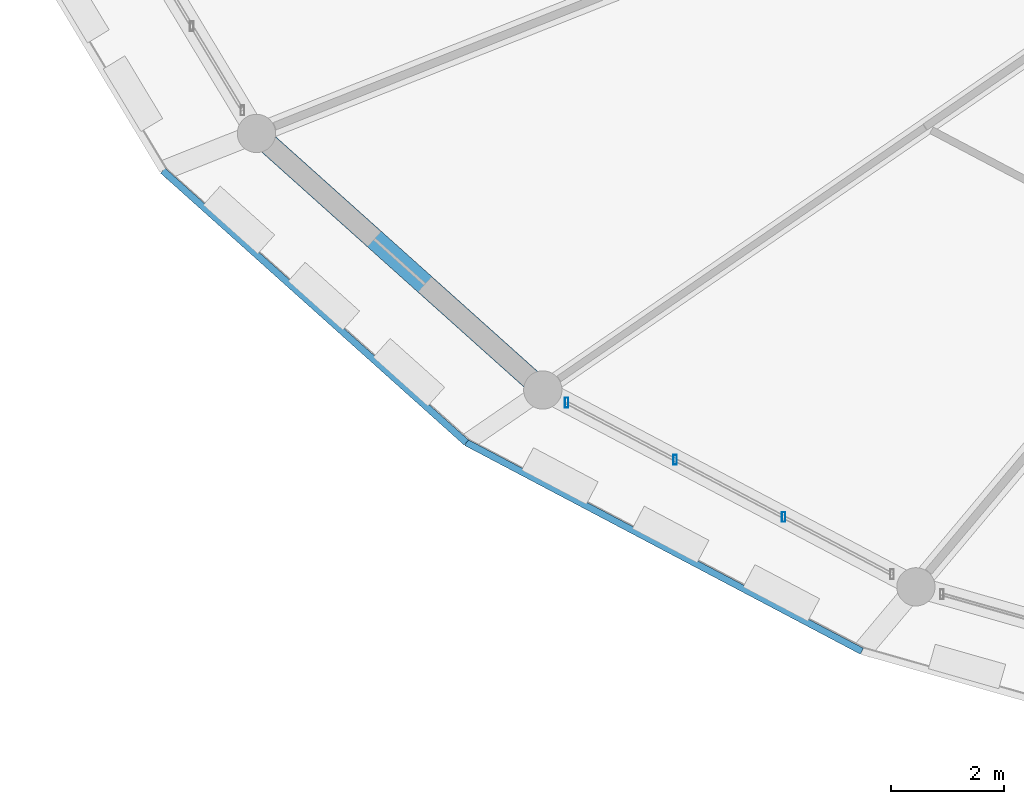
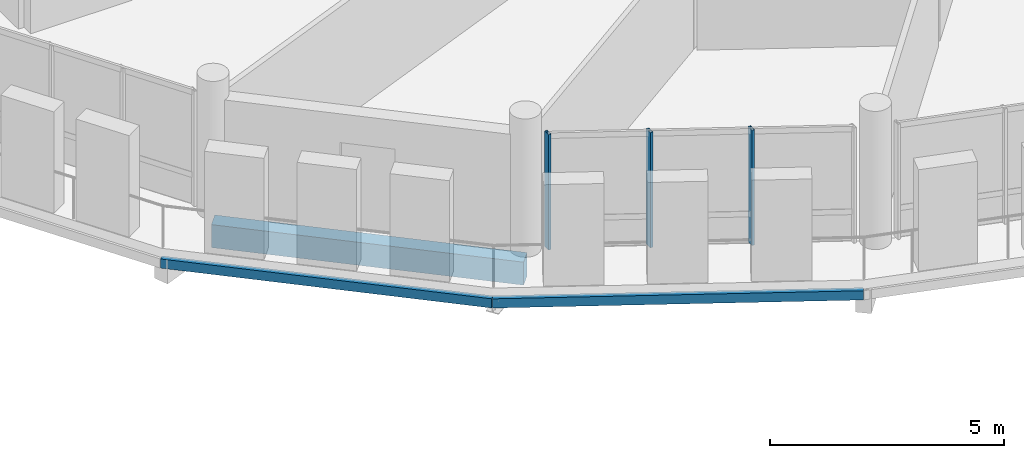
# One storey, part 39 of 128: 3 beams, 3 members, 1 element without a shape of its own.
"""IFC4 building model written with IfcOpenShell, lengths in metres."""

import ifcopenshell
import ifcopenshell.guid

model = None  # the IFC model being written
_history = None  # IfcOwnerHistory: only IFC2X3 demands one
_inside = {}  # id of a spatial element -> (the spatial element, [elements in it])
_under = {}  # id of a project, library or spatial element -> (it, [spatial elements below it])
_declared = {}  # id of a project -> (the project, [libraries it declares])
_typed = {}  # id of a type object -> (the type object, [elements of that type])
_made_of = {}  # id of a material, layer set ... -> (it, [elements and type objects made of it])


def new_model(schema):
    """Start an empty IFC model of exactly this schema.

    Asked for "IFC4X3", IfcOpenShell would pick the latest addendum, in which some entities
    have other attributes; the version numbers below select the first issue.
    IFC2X3 requires an IfcOwnerHistory on every rooted entity: one is made here for all.
    """
    global model, _history
    if schema == "IFC4X3":
        model = ifcopenshell.file(schema_version=(4, 3, 0, 0))
    else:
        model = ifcopenshell.file(schema=schema)
    _inside.clear()
    _under.clear()
    _declared.clear()
    _typed.clear()
    _made_of.clear()
    _history = None
    if model.schema == "IFC2X3":
        org = make("IfcOrganization", Name="unknown")
        user = make(
            "IfcPersonAndOrganization",
            ThePerson=make("IfcPerson", FamilyName="unknown"),
            TheOrganization=org,
        )
        app = make(
            "IfcApplication",
            ApplicationDeveloper=org,
            Version="unknown",
            ApplicationFullName="unknown",
            ApplicationIdentifier="unknown",
        )
        _history = make(
            "IfcOwnerHistory",
            OwningUser=user,
            OwningApplication=app,
            ChangeAction="ADDED",
            CreationDate=0,
        )
    return model


def make(cls, **values):
    """One entity of the class cls with the attributes given. An attribute that is None is left unset."""
    return model.create_entity(
        cls, **{name: value for name, value in values.items() if value is not None}
    )


def rooted(cls, **values):
    """An entity with a GlobalId (a new one), such as an element, a storey or a relation."""
    return make(cls, GlobalId=ifcopenshell.guid.new(), OwnerHistory=_history, **values)


def si_unit(unit_type, name, prefix=None):
    """IfcSIUnit, for example si_unit("LENGTHUNIT", "METRE", prefix="MILLI")."""
    return make("IfcSIUnit", UnitType=unit_type, Prefix=prefix, Name=name)


def assignment(units):
    """IfcUnitAssignment: the units of a project."""
    return None if units is None else make("IfcUnitAssignment", Units=units)


def point(xyz):
    """IfcCartesianPoint."""
    return None if xyz is None else make("IfcCartesianPoint", Coordinates=xyz)


def direction(xyz):
    """IfcDirection."""
    return None if xyz is None else make("IfcDirection", DirectionRatios=xyz)


def frame(location, z_axis=None, x_axis=None):
    """IfcAxis2Placement3D, a coordinate frame: its origin and axes. An axis left out is left unset."""
    return make(
        "IfcAxis2Placement3D",
        Location=point(location),
        Axis=direction(z_axis),
        RefDirection=direction(x_axis),
    )


def frame_2d(location, x_axis=None):
    """IfcAxis2Placement2D, a coordinate frame in the plane: its origin and x axis."""
    return make(
        "IfcAxis2Placement2D", Location=point(location), RefDirection=direction(x_axis)
    )


def origin():
    """The frame at (0, 0, 0) with its axes left unset."""
    return frame((0.0, 0.0, 0.0))


def origin_2d():
    """The frame at (0, 0) in the plane with its x axis left unset."""
    return frame_2d((0.0, 0.0))


def place(relative_to, where):
    """IfcLocalPlacement: puts the frame where relative to a parent placement (None: the world)."""
    return make(
        "IfcLocalPlacement", PlacementRelTo=relative_to, RelativePlacement=where
    )


def context(
    kind, dimensions, precision=None, world=None, true_north=None, identifier=None
):
    """IfcGeometricRepresentationContext, for example the 3D "Model" context."""
    return make(
        "IfcGeometricRepresentationContext",
        ContextIdentifier=identifier,
        ContextType=kind,
        CoordinateSpaceDimension=dimensions,
        Precision=precision,
        WorldCoordinateSystem=world,
        TrueNorth=true_north,
    )


def subcontext(parent, identifier, kind, view, scale=None):
    """IfcGeometricRepresentationSubContext, for example "Body" below "Model"."""
    return make(
        "IfcGeometricRepresentationSubContext",
        ContextIdentifier=identifier,
        ContextType=kind,
        ParentContext=parent,
        TargetScale=scale,
        TargetView=view,
    )


def project(units=None, contexts=None):
    """IfcProject with its units and contexts."""
    return rooted(
        "IfcProject",
        Name="project",
        RepresentationContexts=contexts,
        UnitsInContext=assignment(units),
    )


def spatial(cls, under=None, at=None, **own):
    """A site, building, storey or space (cls), placed at a placement, below another one or the project."""
    s = rooted(cls, ObjectPlacement=at, **own)
    if under is not None:
        _under.setdefault(under.id(), (under, []))[1].append(s)
    return s


def profile(cls, at=None, kind="AREA", **sizes):
    """A parametric profile (cls). Its sizes go by their IFC names, for example OverallWidth=200.0."""
    return make(cls, ProfileType=kind, Position=at, **sizes)


def rectangle(**sizes):
    """IfcRectangleProfileDef."""
    return profile("IfcRectangleProfileDef", **sizes)


def hollow_rectangle(**sizes):
    """IfcRectangleHollowProfileDef."""
    return profile("IfcRectangleHollowProfileDef", **sizes)


def extrude(swept, where, along, depth):
    """IfcExtrudedAreaSolid: the profile swept, set in the frame where, extruded along a direction by depth."""
    return make(
        "IfcExtrudedAreaSolid",
        SweptArea=swept,
        Position=where,
        ExtrudedDirection=direction(along),
        Depth=depth,
    )


def shape(context_of_items, identifier, shape_type, items):
    """IfcShapeRepresentation: the items that make up one representation, for example the "Body"."""
    return make(
        "IfcShapeRepresentation",
        ContextOfItems=context_of_items,
        RepresentationIdentifier=identifier,
        RepresentationType=shape_type,
        Items=items,
    )


def material(Name=None, Category=None):
    """IfcMaterial."""
    return make("IfcMaterial", Name=Name, Category=Category)


def material_profile(
    of_material, cross_section, Name=None, Category=None, Priority=None
):
    """IfcMaterialProfile: a cross section and its material."""
    return make(
        "IfcMaterialProfile",
        Name=Name,
        Material=of_material,
        Profile=cross_section,
        Priority=Priority,
        Category=Category,
    )


def profile_set(profiles, Name=None, composite=None):
    """IfcMaterialProfileSet."""
    return make(
        "IfcMaterialProfileSet",
        Name=Name,
        MaterialProfiles=profiles,
        CompositeProfile=composite,
    )


def made_of(thing, what):
    """Note that an element or type object is made of a material, layer set ...; save() writes the relation."""
    if what is not None:
        _made_of.setdefault(what.id(), (what, []))[1].append(thing)
    return thing


def type_object(cls, material=None, **own):
    """A type object (cls), such as IfcWallType, which elements share."""
    return made_of(rooted(cls, **own), material)


def element(
    cls,
    number,
    at=None,
    inside=None,
    cuts=None,
    type_object=None,
    material=None,
    context=None,
    identifier="Body",
    shape_type=None,
    held_by="IfcProductDefinitionShape",
    body=None,
    shapes=None,
    **own,
):
    """One element of the class cls, such as IfcWall. Its Tag is "e" and its number.

    at: its placement. inside: the storey or other place that contains it. cuts: it is an
    opening in that element (IfcRelVoidsElement). A single representation is given by context,
    identifier, shape_type and body (its items); several are given by shapes. held_by: the class
    of the entity that holds the representations. save() writes the other relations.
    """
    e = rooted(cls, Tag="e%d" % number, ObjectPlacement=at, **own)
    if body is not None:
        shapes = [shape(context, identifier, shape_type, body)]
    if shapes is not None:
        e.Representation = make(held_by, Representations=shapes)
    if inside is not None:
        _inside.setdefault(inside.id(), (inside, []))[1].append(e)
    if cuts is not None:
        rooted(
            "IfcRelVoidsElement", RelatingBuildingElement=cuts, RelatedOpeningElement=e
        )
    if type_object is not None:
        _typed.setdefault(type_object.id(), (type_object, []))[1].append(e)
    return made_of(e, material)


def aggregate(whole, parts):
    """IfcRelAggregates: a whole, such as a stair, and the parts it consists of."""
    return rooted("IfcRelAggregates", RelatingObject=whole, RelatedObjects=parts)


def save(model, path):
    """Write the relations noted so far, then the file.

    IfcRelAggregates (storeys below a building ...), IfcRelContainedInSpatialStructure (elements
    in a storey), IfcRelDefinesByType, IfcRelAssociatesMaterial and IfcRelDeclares: one each for
    every whole, place, type object, material and project.
    """
    for whole, parts in _under.values():
        aggregate(whole, parts)
    for where, things in _inside.values():
        rooted(
            "IfcRelContainedInSpatialStructure",
            RelatedElements=things,
            RelatingStructure=where,
        )
    for kind, things in _typed.values():
        rooted("IfcRelDefinesByType", RelatedObjects=things, RelatingType=kind)
    for what, things in _made_of.values():
        rooted("IfcRelAssociatesMaterial", RelatedObjects=things, RelatingMaterial=what)
    for by, libraries in _declared.values():
        rooted("IfcRelDeclares", RelatingContext=by, RelatedDefinitions=libraries)
    model.write(path)


model = new_model("IFC4")

# Units and contexts
model_context = context("Model", 3, precision=1e-05, world=origin(), true_north=direction((0.0, 1.0)))
body_context = subcontext(model_context, "Body", "Model", "MODEL_VIEW")
ifc_project = project(units=[si_unit("LENGTHUNIT", "METRE"), si_unit("AREAUNIT", "SQUARE_METRE"), si_unit("VOLUMEUNIT", "CUBIC_METRE"), si_unit("PLANEANGLEUNIT", "RADIAN"), si_unit("MASSUNIT", "GRAM", prefix="KILO")], contexts=[model_context])

# Site, building, storey
site_placement = place(None, origin())
site = spatial("IfcSite", under=ifc_project, at=site_placement, CompositionType="ELEMENT")
building_placement = place(site_placement, origin())
building = spatial("IfcBuilding", under=site, at=building_placement, Name="Zornivar Specialist Clinic", CompositionType="ELEMENT")
storey_placement = place(building_placement, frame((0.0, 0.0, 4.5)))
storey = spatial("IfcBuildingStorey", under=building, at=storey_placement, Name="L01", CompositionType="ELEMENT", Elevation=4.5)

# Beams
ifc_material_1 = material(Name="Concrete C30/37", Category="concrete")
ifc_material_profile_1 = material_profile(ifc_material_1, rectangle(XDim=0.3701171875, YDim=0.60009765625, at=origin_2d()), Name="RC 370x600")
ifc_profile_set_1 = profile_set([ifc_material_profile_1], Name="Concrete C30/37")
beam_type_1 = type_object("IfcBeamType", Name="BM-RC-SPANDREL-370x600", PredefinedType="SPANDREL", material=ifc_profile_set_1)
beam_1_placement = place(storey_placement, frame((65.886962890625, 46.60009765625, -0.5400390625), z_axis=(0.744835335723, -0.667248321585, 0.0), x_axis=(0.667248321585, 0.744835335723, 0.0)))
element("IfcBeam", 1, at=beam_1_placement, inside=storey, type_object=beam_type_1, Name="bm:V1:L01:outring:14", PredefinedType="SPANDREL", context=body_context, shape_type="SweptSolid", body=[
    extrude(rectangle(XDim=0.3701171875, YDim=0.60009765625, at=origin_2d()), origin(), (0.0, 0.0, 1.0), 6.828369140625),
])
ifc_material_2 = material(Name="Steel S355J2", Category="steel")
ifc_material_profile_2 = material_profile(ifc_material_2, hollow_rectangle(XDim=0.1201171875, YDim=0.239990234375, WallThickness=0.008056640625, at=origin_2d()), Name="RHS 240x120x8")
ifc_profile_set_2 = profile_set([ifc_material_profile_2], Name="Steel S355J2")
beam_type_2 = type_object("IfcBeamType", Name="BM-STL-RHS240", PredefinedType="JOIST", material=ifc_profile_set_2)
beam_2_placement = place(storey_placement, frame((64.22412109375, 45.93994140625, -0.360107421875), z_axis=(0.744800061157, -0.667287695751, 0.0), x_axis=(0.667287695751, 0.744800061157, 0.0)))
element("IfcBeam", 2, at=beam_2_placement, inside=storey, type_object=beam_type_2, Name="bm:V1:L01:balring:14", PredefinedType="JOIST", context=body_context, shape_type="SweptSolid", body=[
    extrude(hollow_rectangle(XDim=0.1201171875, YDim=0.239990234375, WallThickness=0.008056640625, at=origin_2d()), origin(), (0.0, 0.0, 1.0), 7.238037109375),
])
beam_3_placement = place(storey_placement, frame((69.614990234375, 41.110107421875, -0.360107421875), z_axis=(0.88446439618, -0.466607685202, 0.0), x_axis=(0.466607685202, 0.88446439618, 0.0)))
element("IfcBeam", 3, at=beam_3_placement, inside=storey, type_object=beam_type_2, Name="bm:V1:L01:balring:15", PredefinedType="JOIST", context=body_context, shape_type="SweptSolid", body=[
    extrude(hollow_rectangle(XDim=0.1201171875, YDim=0.239990234375, WallThickness=0.008056640625, at=origin_2d()), origin(), (0.0, 0.0, 1.0), 7.942626953125),
])

# Curtain wall, members
ifc_material_3 = material(Name="Aluminium and Low-E Glass Curtain Wall", Category="aluminium")
curtain_wall_type = type_object("IfcCurtainWallType", Name="CW-DRUM-FACET", PredefinedType="NOTDEFINED", material=ifc_material_3)
curtain_wall_placement = place(storey_placement, origin())
curtain_wall = element("IfcCurtainWall", 4, at=curtain_wall_placement, inside=storey, type_object=curtain_wall_type, Name="cw:V1:L01:c15", PredefinedType="NOTDEFINED")
ifc_material_4 = material(Name="Aluminium AW-6060", Category="aluminium")
ifc_material_profile_3 = material_profile(ifc_material_4, hollow_rectangle(XDim=0.06494140625, YDim=0.175048828125, WallThickness=0.00439453125, at=origin_2d()), Name="ALU 65x175x4.5")
ifc_profile_set_3 = profile_set([ifc_material_profile_3], Name="Aluminium AW-6060")
member_type = type_object("IfcMemberType", Name="CWM-MUL-175", PredefinedType="MULLION", material=ifc_profile_set_3)
member_1_placement = place(storey_placement, frame((71.39697265625, 41.820068359375, 0.0), z_axis=(0.0, 0.0, 1.0), x_axis=(1.0, 0.0, 0.0)))
member_1 = element("IfcMember", 5, at=member_1_placement, type_object=member_type, Name="cw:V1:L01:c15:mul:0", PredefinedType="MULLION", context=body_context, shape_type="SweptSolid", body=[
    extrude(hollow_rectangle(XDim=0.06494140625, YDim=0.175048828125, WallThickness=0.00439453125, at=origin_2d()), origin(), (0.0, 0.0, 1.0), 3.010009765625),
])
member_2_placement = place(storey_placement, frame((73.323974609375, 40.803955078125, 0.0), z_axis=(0.0, 0.0, 1.0), x_axis=(1.0, 0.0, 0.0)))
member_2 = element("IfcMember", 6, at=member_2_placement, type_object=member_type, Name="cw:V1:L01:c15:mul:1", PredefinedType="MULLION", context=body_context, shape_type="SweptSolid", body=[
    extrude(hollow_rectangle(XDim=0.06494140625, YDim=0.175048828125, WallThickness=0.00439453125, at=origin_2d()), origin(), (0.0, 0.0, 1.0), 3.010009765625),
])
member_3_placement = place(storey_placement, frame((75.25, 39.787109375, 0.0), z_axis=(0.0, 0.0, 1.0), x_axis=(1.0, 0.0, 0.0)))
member_3 = element("IfcMember", 7, at=member_3_placement, type_object=member_type, Name="cw:V1:L01:c15:mul:2", PredefinedType="MULLION", context=body_context, shape_type="SweptSolid", body=[
    extrude(hollow_rectangle(XDim=0.06494140625, YDim=0.175048828125, WallThickness=0.00439453125, at=origin_2d()), origin(), (0.0, 0.0, 1.0), 3.010009765625),
])
aggregate(curtain_wall, [member_1, member_2, member_3])

save(model, "model.ifc")
